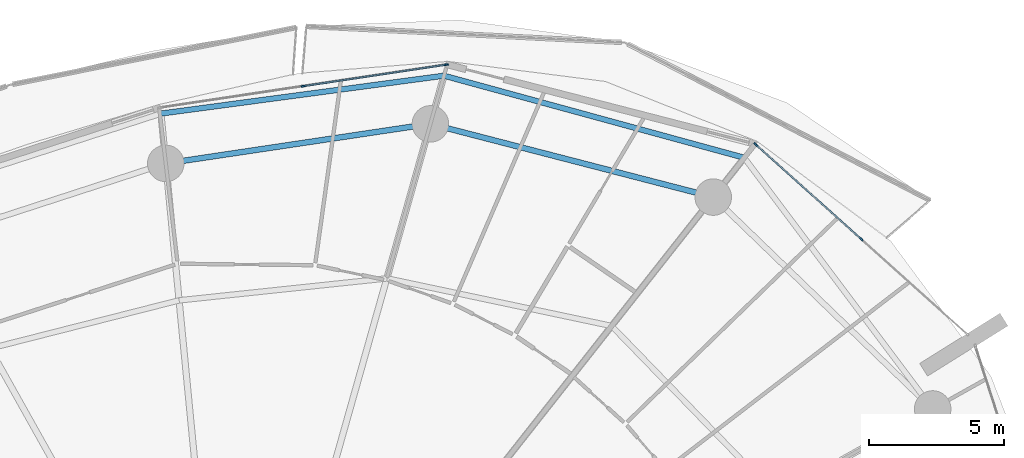
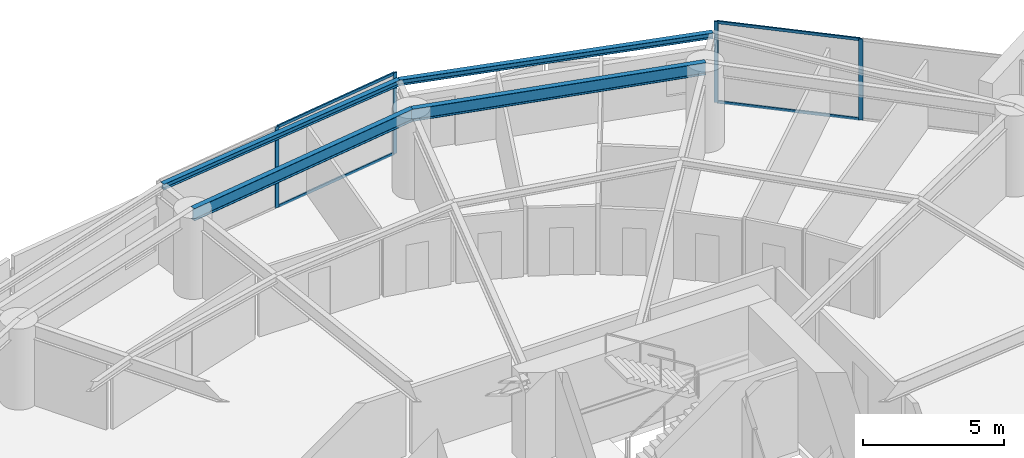
# One storey, part 16 of 31: 8 members, 4 beams, 2 elements without a shape of their own.
"""IFC4 building model written with IfcOpenShell, lengths in metres."""

from ifc_helpers import new_model, si_unit, direction, frame, origin, origin_2d, place, context, subcontext, project, spatial, rectangle, i_section, extrude, material, layer, layer_set, material_profile, profile_set, type_object, element, aggregate, save


model = new_model("IFC4")

# Units and contexts
model_context = context("Model", 3, precision=1e-05, world=origin(), true_north=direction((0.0, 1.0)))
body_context = subcontext(model_context, "Body", "Model", "MODEL_VIEW")
ifc_project = project(units=[si_unit("LENGTHUNIT", "METRE"), si_unit("AREAUNIT", "SQUARE_METRE"), si_unit("VOLUMEUNIT", "CUBIC_METRE"), si_unit("PLANEANGLEUNIT", "RADIAN"), si_unit("MASSUNIT", "GRAM", prefix="KILO")], contexts=[model_context])

# Site, building, storey
site_placement = place(None, origin())
site = spatial("IfcSite", under=ifc_project, at=site_placement, CompositionType="ELEMENT")
building_placement = place(site_placement, origin())
building = spatial("IfcBuilding", under=site, at=building_placement, Name="Kazma Halo Residences", CompositionType="ELEMENT")
storey_placement = place(building_placement, frame((0.0, 0.0, 52.64990234375)))
storey = spatial("IfcBuildingStorey", under=building, at=storey_placement, Name="L12", CompositionType="ELEMENT", Elevation=52.64990234375)

# Beams
ifc_material_1 = material(Name="Steel S355", Category="steel")
ifc_material_profile_1 = material_profile(ifc_material_1, i_section(OverallWidth=0.201904296875, OverallDepth=0.2470703125, WebThickness=0.00732421875, FlangeThickness=0.010986328125, FilletRadius=0.011962890625, at=origin_2d()), Name="W250x49.1")
ifc_profile_set_1 = profile_set([ifc_material_profile_1], Name="Steel S355")
beam_type_1 = type_object("IfcBeamType", Name="BM-BAL-CANT", PredefinedType="BEAM", material=ifc_profile_set_1)
beam_1_placement = place(storey_placement, frame((66.603515625, 65.598388671875, 3.376708984375), z_axis=(-0.964628474934, 0.263613173697, 0.0), x_axis=(-0.263613173697, -0.964628474934, 0.0)))
element("IfcBeam", 1, at=beam_1_placement, inside=storey, type_object=beam_type_1, Name="L12 wave-balcony tie beam 02", PredefinedType="BEAM", context=body_context, shape_type="SweptSolid", body=[
    extrude(i_section(OverallWidth=0.201904296875, OverallDepth=0.2470703125, WebThickness=0.00732421875, FlangeThickness=0.010986328125, FilletRadius=0.011962890625, at=origin_2d()), origin(), (0.0, 0.0, 1.0), 11.499755859375),
])
beam_2_placement = place(storey_placement, frame((55.510498046875, 68.6298828125, 3.376708984375), z_axis=(-0.991168183526, -0.13261082899, 0.0), x_axis=(0.13261082899, -0.991168183526, 0.0)))
element("IfcBeam", 2, at=beam_2_placement, inside=storey, type_object=beam_type_1, Name="L12 wave-balcony tie beam 03", PredefinedType="BEAM", context=body_context, shape_type="SweptSolid", body=[
    extrude(i_section(OverallWidth=0.201904296875, OverallDepth=0.2470703125, WebThickness=0.00732421875, FlangeThickness=0.010986328125, FilletRadius=0.011962890625, at=origin_2d()), origin(), (0.0, 0.0, 1.0), 10.551025390625),
])
ifc_material_profile_2 = material_profile(ifc_material_1, i_section(OverallWidth=0.208984375, OverallDepth=0.532958984375, WebThickness=0.01025390625, FlangeThickness=0.015625, FilletRadius=0.01611328125, at=origin_2d()), Name="W530x92")
ifc_profile_set_2 = profile_set([ifc_material_profile_2], Name="Steel S355")
beam_type_2 = type_object("IfcBeamType", Name="BM-SPN-W530", PredefinedType="BEAM", material=ifc_profile_set_2)
beam_3_placement = place(storey_placement, frame((65.458251953125, 64.145751953125, 3.233642578125), z_axis=(-0.968123558238, 0.250473104313, 0.0), x_axis=(-0.250473104313, -0.968123558238, 0.0)))
element("IfcBeam", 3, at=beam_3_placement, inside=storey, type_object=beam_type_2, Name="L12 perimeter ring beam 02", PredefinedType="BEAM", context=body_context, shape_type="SweptSolid", body=[
    extrude(i_section(OverallWidth=0.208984375, OverallDepth=0.532958984375, WebThickness=0.01025390625, FlangeThickness=0.015625, FilletRadius=0.01611328125, at=origin_2d()), origin(), (0.0, 0.0, 1.0), 10.7939453125),
])
beam_4_placement = place(storey_placement, frame((55.00830078125, 66.849365234375, 3.233642578125), z_axis=(-0.989033061974, -0.147694286693, 0.0), x_axis=(0.147694286693, -0.989033061974, 0.0)))
element("IfcBeam", 4, at=beam_4_placement, inside=storey, type_object=beam_type_2, Name="L12 perimeter ring beam 03", PredefinedType="BEAM", context=body_context, shape_type="SweptSolid", body=[
    extrude(i_section(OverallWidth=0.208984375, OverallDepth=0.532958984375, WebThickness=0.01025390625, FlangeThickness=0.015625, FilletRadius=0.01611328125, at=origin_2d()), origin(), (0.0, 0.0, 1.0), 9.885009765625),
])

# Curtain wall, members
ifc_material_2 = material(Name="Aluminium AW-6063 T6 and Triple-Silver Low-E Glass", Category="aluminium")
ifc_layer = layer(ifc_material_2, 0.159912109375)
ifc_layer_set = layer_set([ifc_layer], Name="Aluminium AW-6063 T6 and Triple-Silver Low-E Glass")
curtain_wall_type = type_object("IfcCurtainWallType", Name="CW-SYS-2", PredefinedType="NOTDEFINED", material=ifc_layer_set)
curtain_wall_1_placement = place(storey_placement, origin())
curtain_wall_1 = element("IfcCurtainWall", 5, at=curtain_wall_1_placement, inside=storey, type_object=curtain_wall_type, Name="L12 unitised curtain wall B01", PredefinedType="NOTDEFINED")
ifc_material_3 = material(Name="Aluminium AW-6063 T6", Category="aluminium")
ifc_material_profile_3 = material_profile(ifc_material_3, rectangle(XDim=0.06005859375, YDim=0.159912109375, at=origin_2d()), Name="CWM-60x160")
ifc_profile_set_3 = profile_set([ifc_material_profile_3], Name="Aluminium AW-6063 T6")
member_type_1 = type_object("IfcMemberType", Name="CW-SYS-2-MUL", PredefinedType="MULLION", material=ifc_profile_set_3)
member_1_placement = place(storey_placement, frame((70.92724609375, 62.590087890625, 0.0), z_axis=(0.0, 0.0, 1.0), x_axis=(-0.667821453854, -0.744321506993, 0.0)))
member_1 = element("IfcMember", 6, at=member_1_placement, type_object=member_type_1, Name="CWS-2 mullion 2", PredefinedType="MULLION", context=body_context, shape_type="SweptSolid", body=[
    extrude(rectangle(XDim=0.06005859375, YDim=0.159912109375, at=origin_2d()), origin(), (0.0, 0.0, 1.0), 3.5),
])
member_2_placement = place(storey_placement, frame((67.028076171875, 66.088623046875, 0.0), z_axis=(0.0, 0.0, 1.0), x_axis=(-0.667821453854, -0.744321506993, 0.0)))
member_2 = element("IfcMember", 7, at=member_2_placement, type_object=member_type_1, Name="CWS-2 mullion 3", PredefinedType="MULLION", context=body_context, shape_type="SweptSolid", body=[
    extrude(rectangle(XDim=0.06005859375, YDim=0.159912109375, at=origin_2d()), origin(), (0.0, 0.0, 1.0), 3.5),
])

curtain_wall_2_placement = place(storey_placement, origin())
curtain_wall_2 = element("IfcCurtainWall", 8, at=curtain_wall_2_placement, inside=storey, type_object=curtain_wall_type, Name="L12 unitised curtain wall B03", PredefinedType="NOTDEFINED")
member_3_placement = place(storey_placement, frame((55.596923828125, 69.037841796875, 0.0), z_axis=(0.0, 0.0, 1.0), x_axis=(0.148657272805, -0.988888777994, 0.0)))
member_3 = element("IfcMember", 9, at=member_3_placement, type_object=member_type_1, Name="CWS-2 mullion 1", PredefinedType="MULLION", context=body_context, shape_type="SweptSolid", body=[
    extrude(rectangle(XDim=0.06005859375, YDim=0.159912109375, at=origin_2d()), origin(), (0.0, 0.0, 1.0), 3.5),
])
member_4_placement = place(storey_placement, frame((50.3076171875, 68.24267578125, 0.0), z_axis=(0.0, 0.0, 1.0), x_axis=(0.148657272805, -0.988888777994, 0.0)))
member_4 = element("IfcMember", 10, at=member_4_placement, type_object=member_type_1, Name="CWS-2 mullion 2", PredefinedType="MULLION", context=body_context, shape_type="SweptSolid", body=[
    extrude(rectangle(XDim=0.06005859375, YDim=0.159912109375, at=origin_2d()), origin(), (0.0, 0.0, 1.0), 3.5),
])

# Member
ifc_material_profile_4 = material_profile(ifc_material_3, rectangle(XDim=0.06005859375, YDim=0.1201171875, at=origin_2d()), Name="CWT-60x120")
ifc_profile_set_4 = profile_set([ifc_material_profile_4], Name="Aluminium AW-6063 T6")
member_type_2 = type_object("IfcMemberType", Name="CW-SYS-2-TRN", PredefinedType="USERDEFINED", material=ifc_profile_set_4)
member_5_placement = place(storey_placement, frame((70.905029296875, 62.6103515625, 0.030029296875), z_axis=(-0.744329408538, 0.66781264707, 0.0), x_axis=(-0.66781264707, -0.744329408538, 0.0)))
member_5 = element("IfcMember", 11, at=member_5_placement, type_object=member_type_2, Name="CWS-2 transom 2.1", ObjectType="TRANSOM", PredefinedType="USERDEFINED", context=body_context, shape_type="SweptSolid", body=[
    extrude(rectangle(XDim=0.06005859375, YDim=0.1201171875, at=origin_2d()), origin(), (0.0, 0.0, 1.0), 5.178466796875),
])

member_6_placement = place(storey_placement, frame((70.905029296875, 62.6103515625, 3.47021484375), z_axis=(-0.744329408538, 0.66781264707, 0.0), x_axis=(-0.66781264707, -0.744329408538, 0.0)))
member_6 = element("IfcMember", 12, at=member_6_placement, type_object=member_type_2, Name="CWS-2 transom 2.2", ObjectType="TRANSOM", PredefinedType="USERDEFINED", context=body_context, shape_type="SweptSolid", body=[
    extrude(rectangle(XDim=0.06005859375, YDim=0.1201171875, at=origin_2d()), origin(), (0.0, 0.0, 1.0), 5.178466796875),
])

aggregate(curtain_wall_1, [member_1, member_2, member_5, member_6])

member_7_placement = place(storey_placement, frame((55.5673828125, 69.033203125, 0.030029296875), z_axis=(-0.988890934274, -0.148642928222, 0.0), x_axis=(0.148642928222, -0.988890934274, 0.0)))
member_7 = element("IfcMember", 13, at=member_7_placement, type_object=member_type_2, Name="CWS-2 transom 1.1", ObjectType="TRANSOM", PredefinedType="USERDEFINED", context=body_context, shape_type="SweptSolid", body=[
    extrude(rectangle(XDim=0.06005859375, YDim=0.1201171875, at=origin_2d()), origin(), (0.0, 0.0, 1.0), 5.288818359375),
])

member_8_placement = place(storey_placement, frame((55.5673828125, 69.033203125, 3.47021484375), z_axis=(-0.988890934274, -0.148642928222, 0.0), x_axis=(0.148642928222, -0.988890934274, 0.0)))
member_8 = element("IfcMember", 14, at=member_8_placement, type_object=member_type_2, Name="CWS-2 transom 1.2", ObjectType="TRANSOM", PredefinedType="USERDEFINED", context=body_context, shape_type="SweptSolid", body=[
    extrude(rectangle(XDim=0.06005859375, YDim=0.1201171875, at=origin_2d()), origin(), (0.0, 0.0, 1.0), 5.288818359375),
])

aggregate(curtain_wall_2, [member_3, member_4, member_7, member_8])

save(model, "model.ifc")
